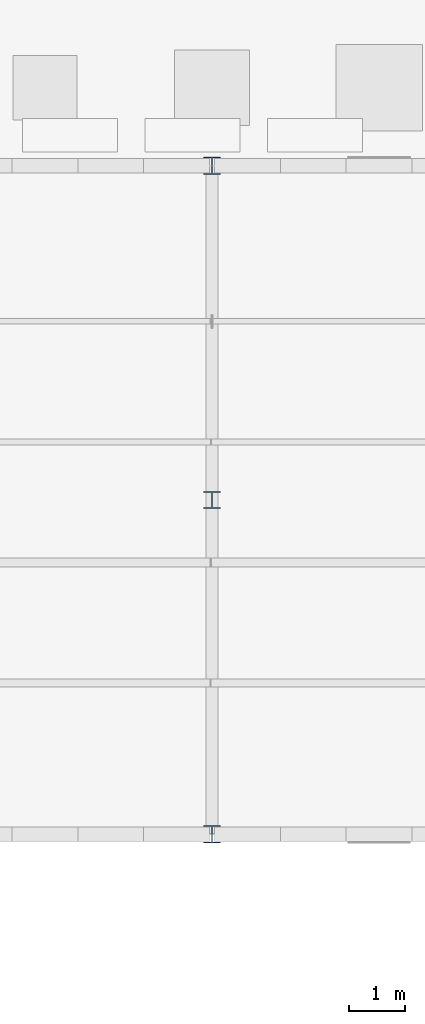
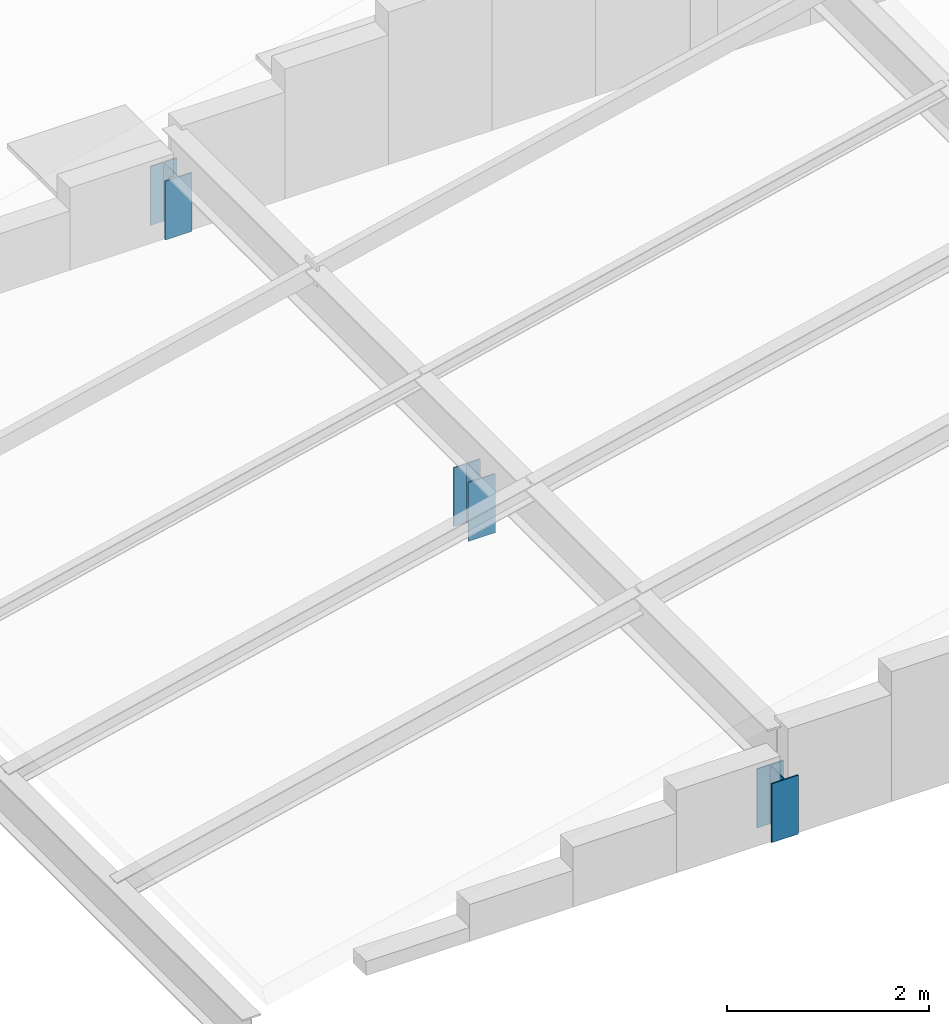
# One storey, part 38 of 74: 3 members.
"""IFC4 building model written with IfcOpenShell, lengths in metres."""

from ifc_helpers import new_model, si_unit, direction, frame, origin, origin_2d, place, context, subcontext, project, spatial, i_section, extrude, material, material_profile, profile_set, type_object, element, save


model = new_model("IFC4")

# Units and contexts
model_context = context("Model", 3, precision=1e-05, world=origin(), true_north=direction((0.0, 1.0)))
body_context = subcontext(model_context, "Body", "Model", "MODEL_VIEW")
ifc_project = project(units=[si_unit("LENGTHUNIT", "METRE"), si_unit("AREAUNIT", "SQUARE_METRE"), si_unit("VOLUMEUNIT", "CUBIC_METRE"), si_unit("PLANEANGLEUNIT", "RADIAN"), si_unit("MASSUNIT", "GRAM", prefix="KILO")], contexts=[model_context])

# Site, building, storey
site_placement = place(None, origin())
site = spatial("IfcSite", under=ifc_project, at=site_placement, CompositionType="ELEMENT")
building_placement = place(site_placement, origin())
building = spatial("IfcBuilding", under=site, at=building_placement, Name="Siltcreek Boulevard Central Fire Station", CompositionType="ELEMENT")
storey_placement = place(building_placement, frame((0.0, 0.0, 25.199951171875)))
storey = spatial("IfcBuildingStorey", under=building, at=storey_placement, Name="RF", CompositionType="ELEMENT", Elevation=25.199951171875)

# Members
ifc_material = material(Name="Structural steel ASTM A992 Gr50", Category="steel")
ifc_material_profile = material_profile(ifc_material, i_section(OverallWidth=0.304931640625, OverallDepth=0.30810546875, WebThickness=0.010009765625, FlangeThickness=0.015380859375, at=origin_2d()), Name="W310X97")
ifc_profile_set = profile_set([ifc_material_profile], Name="Structural steel ASTM A992 Gr50")
member_type = type_object("IfcMemberType", Name="CH_W310X97", PredefinedType="CHORD", material=ifc_profile_set)
for number, where, z_axis, x_axis, name in (
    (1, (130.199951171875, 94.199951171875, -3.599853515625), (0.0, 0.0, 1.0), (1.0, 0.0, 0.0), "Roof bearing truss post 0765"),
    (2, (130.199951171875, 100.199951171875, -3.599853515625), (0.0, 0.0, 1.0), (1.0, 0.0, 0.0), "Roof bearing truss post 0766"),
    (3, (130.199951171875, 106.199951171875, -3.599853515625), (0.0, 0.0, 1.0), (1.0, 0.0, 0.0), "Roof bearing truss post 0767"),
):
    element("IfcMember", number, at=place(storey_placement, frame(where, z_axis=z_axis, x_axis=x_axis)), inside=storey, type_object=member_type, Name=name, PredefinedType="CHORD", context=body_context, shape_type="SweptSolid", body=[
        extrude(i_section(OverallWidth=0.304931640625, OverallDepth=0.30810546875, WebThickness=0.010009765625, FlangeThickness=0.015380859375, at=origin_2d()), origin(), (0.0, 0.0, 1.0), 0.7109375),
    ])

save(model, "model.ifc")
